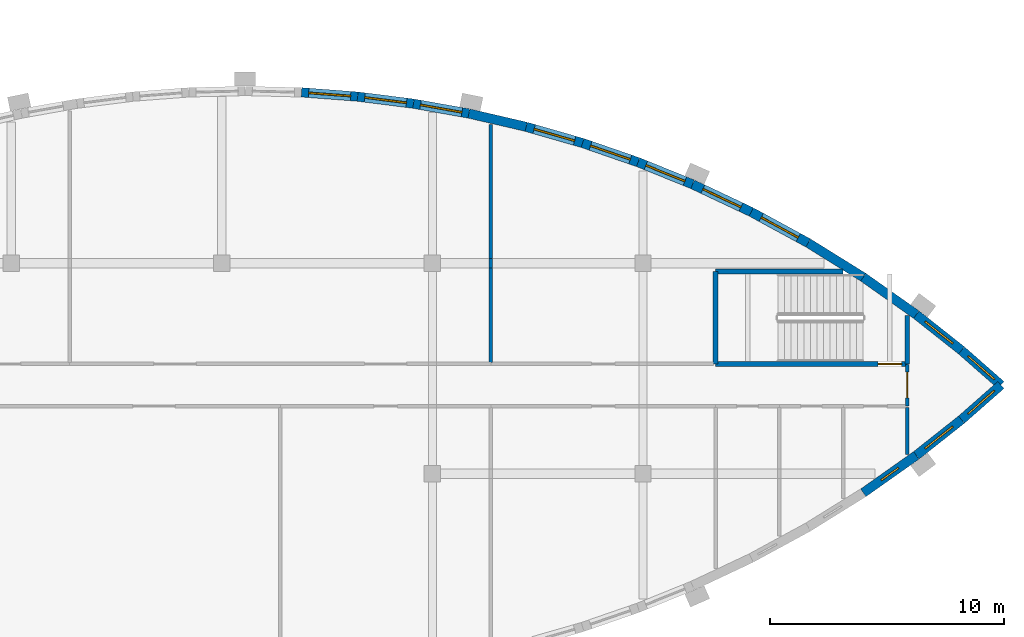
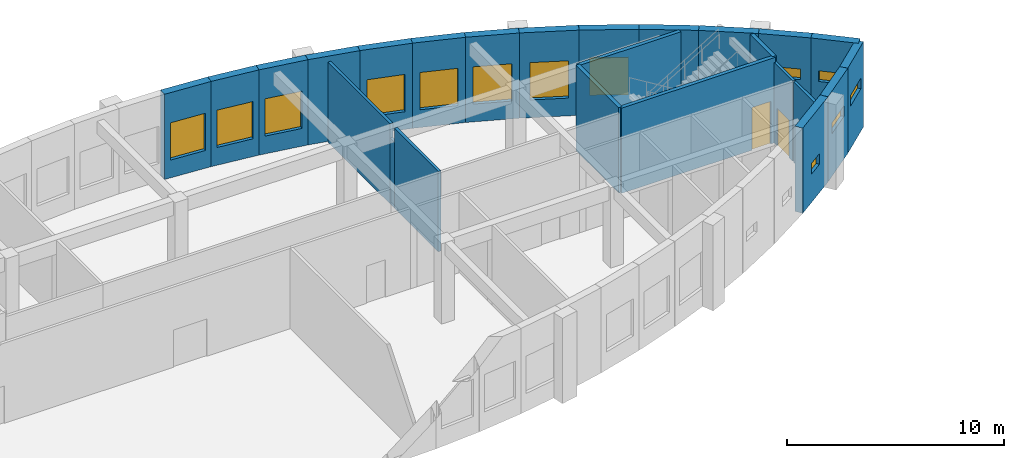
# One storey, part 76 of 93: 25 walls, 13 windows, 2 doors, 15 openings.
"""IFC4 building model written with IfcOpenShell, lengths in metres."""

from ifc_helpers import new_model, si_unit, direction, frame, frame_2d, origin, place, context, subcontext, project, spatial, rectangle, extrude, material, layer, layer_set, type_object, element, fill, save


model = new_model("IFC4")

# Units and contexts
model_context = context("Model", 3, precision=1e-05, world=origin(), true_north=direction((0.0, 1.0)))
body_context = subcontext(model_context, "Body", "Model", "MODEL_VIEW")
ifc_project = project(units=[si_unit("LENGTHUNIT", "METRE"), si_unit("AREAUNIT", "SQUARE_METRE"), si_unit("VOLUMEUNIT", "CUBIC_METRE"), si_unit("PLANEANGLEUNIT", "RADIAN"), si_unit("MASSUNIT", "GRAM", prefix="KILO")], contexts=[model_context])

# Site, building, storey
site_placement = place(None, origin())
site = spatial("IfcSite", under=ifc_project, at=site_placement, CompositionType="ELEMENT")
building_placement = place(site_placement, origin())
building = spatial("IfcBuilding", under=site, at=building_placement, Name="Tide Square Theatres", CompositionType="ELEMENT")
storey_placement = place(building_placement, frame((0.0, 0.0, 5.39990234375)))
storey = spatial("IfcBuildingStorey", under=building, at=storey_placement, Name="L01", CompositionType="ELEMENT", Elevation=5.39990234375)

# Walls
ifc_material_1 = material(Name="Gypsum board on steel studs", Category="steel")
ifc_layer_1 = layer(ifc_material_1, 0.14990234375)
ifc_layer_set_1 = layer_set([ifc_layer_1], Name="Gypsum board on steel studs")
wall_type_1 = type_object("IfcWallType", Name="Partition 150 thick", PredefinedType="PARTITIONING", material=ifc_layer_set_1)
wall_1_placement = place(storey_placement, frame((140.5, 108.928466796875, 0.0), z_axis=(0.0, 0.0, 1.0), x_axis=(0.0, -1.0, 0.0)))
element("IfcWall", 1, at=wall_1_placement, inside=storey, type_object=wall_type_1, Name="Rehearsal Block partition", PredefinedType="PARTITIONING", context=body_context, shape_type="SweptSolid", body=[
    extrude(rectangle(XDim=5.728515625, YDim=0.14990234375, at=frame_2d((2.8642578125, 0.0))), origin(), (0.0, 0.0, 1.0), 4.52001953125),
])
wall_2_placement = place(storey_placement, frame((140.5, 103.199951171875, 0.0), z_axis=(0.0, 0.0, 1.0), x_axis=(0.0, -1.0, 0.0)))
element("IfcWall", 2, at=wall_2_placement, inside=storey, type_object=wall_type_1, Name="Rehearsal Block partition", PredefinedType="PARTITIONING", context=body_context, shape_type="SweptSolid", body=[
    extrude(rectangle(XDim=0.39990234375, YDim=0.14990234375, at=frame_2d((0.199951171875, 0.0))), origin(), (0.0, 0.0, 1.0), 3.72021484375),
])
wall_3_placement = place(storey_placement, frame((140.5, 102.800048828125, 0.0), z_axis=(0.0, 0.0, 1.0), x_axis=(0.0, -1.0, 0.0)))
element("IfcWall", 3, at=wall_3_placement, inside=storey, type_object=wall_type_1, Name="Rehearsal Block partition", PredefinedType="PARTITIONING", context=body_context, shape_type="SweptSolid", body=[
    extrude(rectangle(XDim=4.0400390625, YDim=0.14990234375, at=frame_2d((2.02001953125, 0.0))), origin(), (0.0, 0.0, 1.0), 4.52001953125),
])
wall_4_placement = place(storey_placement, frame((158.300048828125, 96.840087890625, 0.0), z_axis=(0.0, 0.0, 1.0), x_axis=(0.0, -1.0, 0.0)))
element("IfcWall", 4, at=wall_4_placement, inside=storey, type_object=wall_type_1, Name="Rehearsal Block partition", PredefinedType="PARTITIONING", context=body_context, shape_type="SweptSolid", body=[
    extrude(rectangle(XDim=2.010986328125, YDim=0.14990234375, at=frame_2d((1.00537109375, 0.0))), origin(), (0.0, 0.0, 1.0), 4.52001953125),
])

# Wall, opening, door
wall_5_placement = place(storey_placement, frame((158.300048828125, 98.669921875, 0.0), z_axis=(0.0, 0.0, 1.0), x_axis=(0.0, -1.0, 0.0)))
wall_5 = element("IfcWall", 5, at=wall_5_placement, inside=storey, type_object=wall_type_1, Name="Rehearsal Block partition", PredefinedType="PARTITIONING", context=body_context, shape_type="SweptSolid", body=[
    extrude(rectangle(XDim=1.77001953125, YDim=0.14990234375, at=frame_2d((0.885009765625, 0.0))), origin(), (0.0, 0.0, 1.0), 4.52001953125),
])
opening_1_placement = place(wall_5_placement, frame((0.320068359375, 0.0, 0.0)))
opening_1 = element("IfcOpeningElement", 6, at=opening_1_placement, cuts=wall_5, Name="Opening R1-08", PredefinedType="OPENING", context=body_context, shape_type="SweptSolid", body=[
    extrude(rectangle(XDim=1.10009765625, YDim=2.10009765625, at=frame_2d((0.550048828125, 1.050048828125))), frame((0.0, 0.0849609375, 0.0), z_axis=(0.0, -1.0, 0.0), x_axis=(1.0, 0.0, 0.0)), (0.0, 0.0, 1.0), 0.169921875),
])
ifc_material_2 = material(Name="Painted steel", Category="steel")
door_type_1 = type_object("IfcDoorType", Name="Door 1100 x 2100 single leaf", OperationType="NOTDEFINED", PredefinedType="DOOR", material=ifc_material_2)
door_1_placement = place(opening_1_placement, origin())
door_1 = element("IfcDoor", 7, at=door_1_placement, inside=storey, type_object=door_type_1, Name="Rehearsal Block door R1-08 to Plant Room E", OperationType="SINGLE_SWING_RIGHT", OverallHeight=2.10009765625, OverallWidth=1.10009765625, PredefinedType="DOOR", context=body_context, shape_type="SweptSolid", body=[
    extrude(rectangle(XDim=1.10009765625, YDim=2.10009765625, at=frame_2d((0.550048828125, 1.050048828125))), frame((0.0, 0.02490234375, 0.0), z_axis=(0.0, -1.0, 0.0), x_axis=(1.0, 0.0, 0.0)), (0.0, 0.0, 1.0), 0.050048828125),
])
fill(opening_1, door_1)

# Wall, opening, window
ifc_material_3 = material(Name="Concrete C40", Category="concrete")
ifc_layer_2 = layer(ifc_material_3, 0.39990234375)
ifc_layer_set_2 = layer_set([ifc_layer_2], Name="Concrete C40")
wall_type_2 = type_object("IfcWallType", Name="RC curved wall 400 thick", PredefinedType="SOLIDWALL", material=ifc_layer_set_2)
wall_6_placement = place(storey_placement, frame((156.415283203125, 93.193115234375, 0.0), z_axis=(0.0, 0.0, 1.0), x_axis=(0.817028877428, 0.576596751161, 0.0)))
wall_6 = element("IfcWall", 8, at=wall_6_placement, inside=storey, type_object=wall_type_2, Name="Rehearsal Block perimeter wall 025", PredefinedType="SOLIDWALL", context=body_context, shape_type="SweptSolid", body=[
    extrude(rectangle(XDim=2.772216796875, YDim=0.39990234375, at=frame_2d((1.38623046875, 0.0))), origin(), (0.0, 0.0, 1.0), 4.800048828125),
])
opening_2_placement = place(wall_6_placement, frame((0.93603515625, 0.0, 1.60009765625)))
opening_2 = element("IfcOpeningElement", 9, at=opening_2_placement, cuts=wall_6, Name="Opening WN-12", PredefinedType="OPENING", context=body_context, shape_type="SweptSolid", body=[
    extrude(rectangle(XDim=0.89990234375, YDim=0.60009765625, at=frame_2d((0.449951171875, 0.300048828125))), frame((0.0, 0.2099609375, 0.0), z_axis=(0.0, -1.0, 0.0), x_axis=(1.0, 0.0, 0.0)), (0.0, 0.0, 1.0), 0.419921875),
])
ifc_material_4 = material(Name="Aluminium with laminated glass", Category="aluminium")
window_type_1 = type_object("IfcWindowType", Name="Window 900 x 600", PartitioningType="SINGLE_PANEL", PredefinedType="WINDOW", material=ifc_material_4)
window_1_placement = place(opening_2_placement, origin())
window_1 = element("IfcWindow", 10, at=window_1_placement, inside=storey, type_object=window_type_1, Name="Rehearsal Block window L01-65", OverallHeight=0.60009765625, OverallWidth=0.89990234375, PartitioningType="SINGLE_PANEL", PredefinedType="WINDOW", context=body_context, shape_type="SweptSolid", body=[
    extrude(rectangle(XDim=0.89990234375, YDim=0.60009765625, at=frame_2d((0.449951171875, 0.300048828125))), frame((0.0, 0.030029296875, 0.0), z_axis=(0.0, -1.0, 0.0), x_axis=(1.0, 0.0, 0.0)), (0.0, 0.0, 1.0), 0.06005859375),
])
fill(opening_2, window_1)

wall_7_placement = place(storey_placement, frame((158.68017578125, 94.79150390625, 0.0), z_axis=(0.0, 0.0, 1.0), x_axis=(0.784278812541, 0.620408530082, 0.0)))
wall_7 = element("IfcWall", 11, at=wall_7_placement, inside=storey, type_object=wall_type_2, Name="Rehearsal Block perimeter wall 026", PredefinedType="SOLIDWALL", context=body_context, shape_type="SweptSolid", body=[
    extrude(rectangle(XDim=2.464111328125, YDim=0.39990234375, at=frame_2d((1.23193359375, 0.0))), origin(), (0.0, 0.0, 1.0), 4.800048828125),
])
opening_3_placement = place(wall_7_placement, frame((0.48193359375, 0.0, 2.39990234375)))
opening_3 = element("IfcOpeningElement", 12, at=opening_3_placement, cuts=wall_7, Name="Opening WN-05", PredefinedType="OPENING", context=body_context, shape_type="SweptSolid", body=[
    extrude(rectangle(XDim=1.5, YDim=0.60009765625, at=frame_2d((0.75, 0.300048828125))), frame((0.0, 0.2099609375, 0.0), z_axis=(0.0, -1.0, 0.0), x_axis=(1.0, 0.0, 0.0)), (0.0, 0.0, 1.0), 0.419921875),
])
ifc_material_5 = material(Name="Aluminium with laminated glass", Category="aluminium")
window_type_2 = type_object("IfcWindowType", Name="Window 1500 x 600", PartitioningType="SINGLE_PANEL", PredefinedType="WINDOW", material=ifc_material_5)
window_2_placement = place(opening_3_placement, origin())
window_2 = element("IfcWindow", 13, at=window_2_placement, inside=storey, type_object=window_type_2, Name="Rehearsal Block window L01-66", OverallHeight=0.60009765625, OverallWidth=1.5, PartitioningType="SINGLE_PANEL", PredefinedType="WINDOW", context=body_context, shape_type="SweptSolid", body=[
    extrude(rectangle(XDim=1.5, YDim=0.60009765625, at=frame_2d((0.75, 0.300048828125))), frame((0.0, 0.030029296875, 0.0), z_axis=(0.0, -1.0, 0.0), x_axis=(1.0, 0.0, 0.0)), (0.0, 0.0, 1.0), 0.06005859375),
])
fill(opening_3, window_2)

wall_8_placement = place(storey_placement, frame((160.61279296875, 96.3203125, 0.0), z_axis=(0.0, 0.0, 1.0), x_axis=(0.751212351098, 0.660060605973, 0.0)))
wall_8 = element("IfcWall", 14, at=wall_8_placement, inside=storey, type_object=wall_type_2, Name="Rehearsal Block perimeter wall 027", PredefinedType="SOLIDWALL", context=body_context, shape_type="SweptSolid", body=[
    extrude(rectangle(XDim=2.24169921875, YDim=0.39990234375, at=frame_2d((1.120849609375, 0.0))), origin(), (0.0, 0.0, 1.0), 4.800048828125),
])
opening_4_placement = place(wall_8_placement, frame((0.370849609375, 0.0, 2.39990234375)))
opening_4 = element("IfcOpeningElement", 15, at=opening_4_placement, cuts=wall_8, Name="Opening WN-05", PredefinedType="OPENING", context=body_context, shape_type="SweptSolid", body=[
    extrude(rectangle(XDim=1.5, YDim=0.60009765625, at=frame_2d((0.75, 0.300048828125))), frame((0.0, 0.2099609375, 0.0), z_axis=(0.0, -1.0, 0.0), x_axis=(1.0, 0.0, 0.0)), (0.0, 0.0, 1.0), 0.419921875),
])
window_3_placement = place(opening_4_placement, origin())
window_3 = element("IfcWindow", 16, at=window_3_placement, inside=storey, type_object=window_type_2, Name="Rehearsal Block window L01-67", OverallHeight=0.60009765625, OverallWidth=1.5, PartitioningType="SINGLE_PANEL", PredefinedType="WINDOW", context=body_context, shape_type="SweptSolid", body=[
    extrude(rectangle(XDim=1.5, YDim=0.60009765625, at=frame_2d((0.75, 0.300048828125))), frame((0.0, 0.030029296875, 0.0), z_axis=(0.0, -1.0, 0.0), x_axis=(1.0, 0.0, 0.0)), (0.0, 0.0, 1.0), 0.06005859375),
])
fill(opening_4, window_3)

wall_9_placement = place(storey_placement, frame((162.296875, 97.800048828125, 0.0), z_axis=(0.0, 0.0, 1.0), x_axis=(-0.751212351098, 0.660060605973, 0.0)))
wall_9 = element("IfcWall", 17, at=wall_9_placement, inside=storey, type_object=wall_type_2, Name="Rehearsal Block perimeter wall 028", PredefinedType="SOLIDWALL", context=body_context, shape_type="SweptSolid", body=[
    extrude(rectangle(XDim=2.24169921875, YDim=0.39990234375, at=frame_2d((1.120849609375, 0.0))), origin(), (0.0, 0.0, 1.0), 4.800048828125),
])
opening_5_placement = place(wall_9_placement, frame((0.370849609375, 0.0, 2.39990234375)))
opening_5 = element("IfcOpeningElement", 18, at=opening_5_placement, cuts=wall_9, Name="Opening WN-05", PredefinedType="OPENING", context=body_context, shape_type="SweptSolid", body=[
    extrude(rectangle(XDim=1.5, YDim=0.60009765625, at=frame_2d((0.75, 0.300048828125))), frame((0.0, 0.2099609375, 0.0), z_axis=(0.0, -1.0, 0.0), x_axis=(1.0, 0.0, 0.0)), (0.0, 0.0, 1.0), 0.419921875),
])
window_4_placement = place(opening_5_placement, origin())
window_4 = element("IfcWindow", 19, at=window_4_placement, inside=storey, type_object=window_type_2, Name="Rehearsal Block window L01-68", OverallHeight=0.60009765625, OverallWidth=1.5, PartitioningType="SINGLE_PANEL", PredefinedType="WINDOW", context=body_context, shape_type="SweptSolid", body=[
    extrude(rectangle(XDim=1.5, YDim=0.60009765625, at=frame_2d((0.75, 0.300048828125))), frame((0.0, 0.030029296875, 0.0), z_axis=(0.0, -1.0, 0.0), x_axis=(1.0, 0.0, 0.0)), (0.0, 0.0, 1.0), 0.06005859375),
])
fill(opening_5, window_4)

wall_10_placement = place(storey_placement, frame((160.61279296875, 99.27978515625, 0.0), z_axis=(0.0, 0.0, 1.0), x_axis=(-0.784278812541, 0.620408530082, 0.0)))
wall_10 = element("IfcWall", 20, at=wall_10_placement, inside=storey, type_object=wall_type_2, Name="Rehearsal Block perimeter wall 029", PredefinedType="SOLIDWALL", context=body_context, shape_type="SweptSolid", body=[
    extrude(rectangle(XDim=2.464111328125, YDim=0.39990234375, at=frame_2d((1.23193359375, 0.0))), origin(), (0.0, 0.0, 1.0), 4.800048828125),
])
opening_6_placement = place(wall_10_placement, frame((0.48193359375, 0.0, 2.39990234375)))
opening_6 = element("IfcOpeningElement", 21, at=opening_6_placement, cuts=wall_10, Name="Opening WN-05", PredefinedType="OPENING", context=body_context, shape_type="SweptSolid", body=[
    extrude(rectangle(XDim=1.5, YDim=0.60009765625, at=frame_2d((0.75, 0.300048828125))), frame((0.0, 0.2099609375, 0.0), z_axis=(0.0, -1.0, 0.0), x_axis=(1.0, 0.0, 0.0)), (0.0, 0.0, 1.0), 0.419921875),
])
window_5_placement = place(opening_6_placement, origin())
window_5 = element("IfcWindow", 22, at=window_5_placement, inside=storey, type_object=window_type_2, Name="Rehearsal Block window L01-69", OverallHeight=0.60009765625, OverallWidth=1.5, PartitioningType="SINGLE_PANEL", PredefinedType="WINDOW", context=body_context, shape_type="SweptSolid", body=[
    extrude(rectangle(XDim=1.5, YDim=0.60009765625, at=frame_2d((0.75, 0.300048828125))), frame((0.0, 0.030029296875, 0.0), z_axis=(0.0, -1.0, 0.0), x_axis=(1.0, 0.0, 0.0)), (0.0, 0.0, 1.0), 0.06005859375),
])
fill(opening_6, window_5)

# Walls
for number, where, z_axis, x_axis, name in (
    (23, (158.68017578125, 100.80859375, 0.0), (0.0, 0.0, 1.0), (-0.817070367038, 0.57653795652, 0.0), "Rehearsal Block perimeter wall 030"),
    (24, (156.415283203125, 102.40673828125, 0.0), (0.0, 0.0, 1.0), (-0.84912946359, 0.528184772653, 0.0), "Rehearsal Block perimeter wall 031"),
):
    element("IfcWall", number, at=place(storey_placement, frame(where, z_axis=z_axis, x_axis=x_axis)), inside=storey, type_object=wall_type_2, Name=name, PredefinedType="SOLIDWALL", context=body_context, shape_type="SweptSolid", body=[
        extrude(rectangle(XDim=2.77197265625, YDim=0.39990234375, at=frame_2d((1.385986328125, 0.0))), origin(), (0.0, 0.0, 1.0), 4.800048828125),
    ])

# Wall, opening, window
wall_11_placement = place(storey_placement, frame((154.0615234375, 103.870849609375, 0.0), z_axis=(0.0, 0.0, 1.0), x_axis=(-0.878255502871, 0.478191668347, 0.0)))
wall_11 = element("IfcWall", 25, at=wall_11_placement, inside=storey, type_object=wall_type_2, Name="Rehearsal Block perimeter wall 032", PredefinedType="SOLIDWALL", context=body_context, shape_type="SweptSolid", body=[
    extrude(rectangle(XDim=2.771728515625, YDim=0.39990234375, at=frame_2d((1.3857421875, 0.0))), origin(), (0.0, 0.0, 1.0), 4.800048828125),
])
opening_7_placement = place(wall_11_placement, frame((0.48583984375, 0.0, 1.0)))
opening_7 = element("IfcOpeningElement", 26, at=opening_7_placement, cuts=wall_11, Name="Opening WN-14", PredefinedType="OPENING", context=body_context, shape_type="SweptSolid", body=[
    extrude(rectangle(XDim=1.800048828125, YDim=2.10009765625, at=frame_2d((0.89990234375, 1.050048828125))), frame((0.0, 0.2099609375, 0.0), z_axis=(0.0, -1.0, 0.0), x_axis=(1.0, 0.0, 0.0)), (0.0, 0.0, 1.0), 0.419921875),
])
ifc_material_6 = material(Name="Aluminium with laminated glass", Category="aluminium")
window_type_3 = type_object("IfcWindowType", Name="Window 1800 x 2100", PartitioningType="DOUBLE_PANEL_VERTICAL", PredefinedType="WINDOW", material=ifc_material_6)
window_6_placement = place(opening_7_placement, origin())
window_6 = element("IfcWindow", 27, at=window_6_placement, inside=storey, type_object=window_type_3, Name="Rehearsal Block window L01-70", OverallHeight=2.10009765625, OverallWidth=1.800048828125, PartitioningType="SINGLE_PANEL", PredefinedType="WINDOW", context=body_context, shape_type="SweptSolid", body=[
    extrude(rectangle(XDim=1.800048828125, YDim=2.10009765625, at=frame_2d((0.89990234375, 1.050048828125))), frame((0.0, 0.030029296875, 0.0), z_axis=(0.0, -1.0, 0.0), x_axis=(1.0, 0.0, 0.0)), (0.0, 0.0, 1.0), 0.06005859375),
])
fill(opening_7, window_6)

wall_12_placement = place(storey_placement, frame((151.627197265625, 105.1962890625, 0.0), z_axis=(0.0, 0.0, 1.0), x_axis=(-0.904561064695, 0.42634408667, 0.0)))
wall_12 = element("IfcWall", 28, at=wall_12_placement, inside=storey, type_object=wall_type_2, Name="Rehearsal Block perimeter wall 033", PredefinedType="SOLIDWALL", context=body_context, shape_type="SweptSolid", body=[
    extrude(rectangle(XDim=2.772216796875, YDim=0.39990234375, at=frame_2d((1.38623046875, 0.0))), origin(), (0.0, 0.0, 1.0), 4.800048828125),
])
opening_8_placement = place(wall_12_placement, frame((0.486083984375, 0.0, 1.0)))
opening_8 = element("IfcOpeningElement", 29, at=opening_8_placement, cuts=wall_12, Name="Opening WN-14", PredefinedType="OPENING", context=body_context, shape_type="SweptSolid", body=[
    extrude(rectangle(XDim=1.800048828125, YDim=2.10009765625, at=frame_2d((0.89990234375, 1.050048828125))), frame((0.0, 0.2099609375, 0.0), z_axis=(0.0, -1.0, 0.0), x_axis=(1.0, 0.0, 0.0)), (0.0, 0.0, 1.0), 0.419921875),
])
window_7_placement = place(opening_8_placement, origin())
window_7 = element("IfcWindow", 30, at=window_7_placement, inside=storey, type_object=window_type_3, Name="Rehearsal Block window L01-71", OverallHeight=2.10009765625, OverallWidth=1.800048828125, PartitioningType="SINGLE_PANEL", PredefinedType="WINDOW", context=body_context, shape_type="SweptSolid", body=[
    extrude(rectangle(XDim=1.800048828125, YDim=2.10009765625, at=frame_2d((0.89990234375, 1.050048828125))), frame((0.0, 0.030029296875, 0.0), z_axis=(0.0, -1.0, 0.0), x_axis=(1.0, 0.0, 0.0)), (0.0, 0.0, 1.0), 0.06005859375),
])
fill(opening_8, window_7)

wall_13_placement = place(storey_placement, frame((149.11962890625, 106.378173828125, 0.0), z_axis=(0.0, 0.0, 1.0), x_axis=(-0.926688932252, 0.375829246921, 0.0)))
wall_13 = element("IfcWall", 31, at=wall_13_placement, inside=storey, type_object=wall_type_2, Name="Rehearsal Block perimeter wall 034", PredefinedType="SOLIDWALL", context=body_context, shape_type="SweptSolid", body=[
    extrude(rectangle(XDim=2.5107421875, YDim=0.39990234375, at=frame_2d((1.25537109375, 0.0))), origin(), (0.0, 0.0, 1.0), 4.800048828125),
])
opening_9_placement = place(wall_13_placement, frame((0.35546875, 0.0, 1.0)))
opening_9 = element("IfcOpeningElement", 32, at=opening_9_placement, cuts=wall_13, Name="Opening WN-14", PredefinedType="OPENING", context=body_context, shape_type="SweptSolid", body=[
    extrude(rectangle(XDim=1.800048828125, YDim=2.10009765625, at=frame_2d((0.89990234375, 1.050048828125))), frame((0.0, 0.2099609375, 0.0), z_axis=(0.0, -1.0, 0.0), x_axis=(1.0, 0.0, 0.0)), (0.0, 0.0, 1.0), 0.419921875),
])
window_8_placement = place(opening_9_placement, origin())
window_8 = element("IfcWindow", 33, at=window_8_placement, inside=storey, type_object=window_type_3, Name="Rehearsal Block window L01-72", OverallHeight=2.10009765625, OverallWidth=1.800048828125, PartitioningType="SINGLE_PANEL", PredefinedType="WINDOW", context=body_context, shape_type="SweptSolid", body=[
    extrude(rectangle(XDim=1.800048828125, YDim=2.10009765625, at=frame_2d((0.89990234375, 1.050048828125))), frame((0.0, 0.030029296875, 0.0), z_axis=(0.0, -1.0, 0.0), x_axis=(1.0, 0.0, 0.0)), (0.0, 0.0, 1.0), 0.06005859375),
])
fill(opening_9, window_8)

wall_14_placement = place(storey_placement, frame((146.79296875, 107.32177734375, 0.0), z_axis=(0.0, 0.0, 1.0), x_axis=(-0.945175475032, 0.326562890417, 0.0)))
wall_14 = element("IfcWall", 34, at=wall_14_placement, inside=storey, type_object=wall_type_2, Name="Rehearsal Block perimeter wall 035", PredefinedType="SOLIDWALL", context=body_context, shape_type="SweptSolid", body=[
    extrude(rectangle(XDim=2.51123046875, YDim=0.39990234375, at=frame_2d((1.255615234375, 0.0))), origin(), (0.0, 0.0, 1.0), 4.800048828125),
])
opening_10_placement = place(wall_14_placement, frame((0.35546875, 0.0, 1.0)))
opening_10 = element("IfcOpeningElement", 35, at=opening_10_placement, cuts=wall_14, Name="Opening WN-14", PredefinedType="OPENING", context=body_context, shape_type="SweptSolid", body=[
    extrude(rectangle(XDim=1.800048828125, YDim=2.10009765625, at=frame_2d((0.89990234375, 1.050048828125))), frame((0.0, 0.2099609375, 0.0), z_axis=(0.0, -1.0, 0.0), x_axis=(1.0, 0.0, 0.0)), (0.0, 0.0, 1.0), 0.419921875),
])
window_9_placement = place(opening_10_placement, origin())
window_9 = element("IfcWindow", 36, at=window_9_placement, inside=storey, type_object=window_type_3, Name="Rehearsal Block window L01-73", OverallHeight=2.10009765625, OverallWidth=1.800048828125, PartitioningType="SINGLE_PANEL", PredefinedType="WINDOW", context=body_context, shape_type="SweptSolid", body=[
    extrude(rectangle(XDim=1.800048828125, YDim=2.10009765625, at=frame_2d((0.89990234375, 1.050048828125))), frame((0.0, 0.030029296875, 0.0), z_axis=(0.0, -1.0, 0.0), x_axis=(1.0, 0.0, 0.0)), (0.0, 0.0, 1.0), 0.06005859375),
])
fill(opening_10, window_9)

wall_15_placement = place(storey_placement, frame((144.41943359375, 108.141845703125, 0.0), z_axis=(0.0, 0.0, 1.0), x_axis=(-0.961008605775, 0.276518461637, 0.0)))
wall_15 = element("IfcWall", 37, at=wall_15_placement, inside=storey, type_object=wall_type_2, Name="Rehearsal Block perimeter wall 036", PredefinedType="SOLIDWALL", context=body_context, shape_type="SweptSolid", body=[
    extrude(rectangle(XDim=2.510986328125, YDim=0.39990234375, at=frame_2d((1.25537109375, 0.0))), origin(), (0.0, 0.0, 1.0), 4.800048828125),
])
opening_11_placement = place(wall_15_placement, frame((0.35546875, 0.0, 1.0)))
opening_11 = element("IfcOpeningElement", 38, at=opening_11_placement, cuts=wall_15, Name="Opening WN-14", PredefinedType="OPENING", context=body_context, shape_type="SweptSolid", body=[
    extrude(rectangle(XDim=1.800048828125, YDim=2.10009765625, at=frame_2d((0.89990234375, 1.050048828125))), frame((0.0, 0.2099609375, 0.0), z_axis=(0.0, -1.0, 0.0), x_axis=(1.0, 0.0, 0.0)), (0.0, 0.0, 1.0), 0.419921875),
])
window_10_placement = place(opening_11_placement, origin())
window_10 = element("IfcWindow", 39, at=window_10_placement, inside=storey, type_object=window_type_3, Name="Rehearsal Block window L01-74", OverallHeight=2.10009765625, OverallWidth=1.800048828125, PartitioningType="SINGLE_PANEL", PredefinedType="WINDOW", context=body_context, shape_type="SweptSolid", body=[
    extrude(rectangle(XDim=1.800048828125, YDim=2.10009765625, at=frame_2d((0.89990234375, 1.050048828125))), frame((0.0, 0.030029296875, 0.0), z_axis=(0.0, -1.0, 0.0), x_axis=(1.0, 0.0, 0.0)), (0.0, 0.0, 1.0), 0.06005859375),
])
fill(opening_11, window_10)

# Wall
wall_16_placement = place(storey_placement, frame((142.00634765625, 108.836181640625, 0.0), z_axis=(0.0, 0.0, 1.0), x_axis=(-0.974189274843, 0.225732710925, 0.0)))
element("IfcWall", 40, at=wall_16_placement, inside=storey, type_object=wall_type_2, Name="Rehearsal Block perimeter wall 037", PredefinedType="SOLIDWALL", context=body_context, shape_type="SweptSolid", body=[
    extrude(rectangle(XDim=2.511474609375, YDim=0.39990234375, at=frame_2d((1.255859375, 0.0))), origin(), (0.0, 0.0, 1.0), 4.800048828125),
])

# Wall, opening, window
wall_17_placement = place(storey_placement, frame((139.559814453125, 109.403076171875, 0.0), z_axis=(0.0, 0.0, 1.0), x_axis=(-0.984524011381, 0.175249738987, 0.0)))
wall_17 = element("IfcWall", 41, at=wall_17_placement, inside=storey, type_object=wall_type_2, Name="Rehearsal Block perimeter wall 038", PredefinedType="SOLIDWALL", context=body_context, shape_type="SweptSolid", body=[
    extrude(rectangle(XDim=2.406005859375, YDim=0.39990234375, at=frame_2d((1.203125, 0.0))), origin(), (0.0, 0.0, 1.0), 4.800048828125),
])
opening_12_placement = place(wall_17_placement, frame((0.302978515625, 0.0, 1.0)))
opening_12 = element("IfcOpeningElement", 42, at=opening_12_placement, cuts=wall_17, Name="Opening WN-14", PredefinedType="OPENING", context=body_context, shape_type="SweptSolid", body=[
    extrude(rectangle(XDim=1.800048828125, YDim=2.10009765625, at=frame_2d((0.89990234375, 1.050048828125))), frame((0.0, 0.2099609375, 0.0), z_axis=(0.0, -1.0, 0.0), x_axis=(1.0, 0.0, 0.0)), (0.0, 0.0, 1.0), 0.419921875),
])
window_11_placement = place(opening_12_placement, origin())
window_11 = element("IfcWindow", 43, at=window_11_placement, inside=storey, type_object=window_type_3, Name="Rehearsal Block window L01-75", OverallHeight=2.10009765625, OverallWidth=1.800048828125, PartitioningType="SINGLE_PANEL", PredefinedType="WINDOW", context=body_context, shape_type="SweptSolid", body=[
    extrude(rectangle(XDim=1.800048828125, YDim=2.10009765625, at=frame_2d((0.89990234375, 1.050048828125))), frame((0.0, 0.030029296875, 0.0), z_axis=(0.0, -1.0, 0.0), x_axis=(1.0, 0.0, 0.0)), (0.0, 0.0, 1.0), 0.06005859375),
])
fill(opening_12, window_11)

wall_18_placement = place(storey_placement, frame((137.191162109375, 109.82470703125, 0.0), z_axis=(0.0, 0.0, 1.0), x_axis=(-0.99208939311, 0.125533406227, 0.0)))
wall_18 = element("IfcWall", 44, at=wall_18_placement, inside=storey, type_object=wall_type_2, Name="Rehearsal Block perimeter wall 039", PredefinedType="SOLIDWALL", context=body_context, shape_type="SweptSolid", body=[
    extrude(rectangle(XDim=2.40576171875, YDim=0.39990234375, at=frame_2d((1.202880859375, 0.0))), origin(), (0.0, 0.0, 1.0), 4.800048828125),
])
opening_13_placement = place(wall_18_placement, frame((0.302978515625, 0.0, 1.0)))
opening_13 = element("IfcOpeningElement", 45, at=opening_13_placement, cuts=wall_18, Name="Opening WN-14", PredefinedType="OPENING", context=body_context, shape_type="SweptSolid", body=[
    extrude(rectangle(XDim=1.800048828125, YDim=2.10009765625, at=frame_2d((0.89990234375, 1.050048828125))), frame((0.0, 0.2099609375, 0.0), z_axis=(0.0, -1.0, 0.0), x_axis=(1.0, 0.0, 0.0)), (0.0, 0.0, 1.0), 0.419921875),
])
window_12_placement = place(opening_13_placement, origin())
window_12 = element("IfcWindow", 46, at=window_12_placement, inside=storey, type_object=window_type_3, Name="Rehearsal Block window L01-76", OverallHeight=2.10009765625, OverallWidth=1.800048828125, PartitioningType="SINGLE_PANEL", PredefinedType="WINDOW", context=body_context, shape_type="SweptSolid", body=[
    extrude(rectangle(XDim=1.800048828125, YDim=2.10009765625, at=frame_2d((0.89990234375, 1.050048828125))), frame((0.0, 0.030029296875, 0.0), z_axis=(0.0, -1.0, 0.0), x_axis=(1.0, 0.0, 0.0)), (0.0, 0.0, 1.0), 0.06005859375),
])
fill(opening_13, window_12)

wall_19_placement = place(storey_placement, frame((134.804443359375, 110.126708984375, 0.0), z_axis=(0.0, 0.0, 1.0), x_axis=(-0.997153910364, 0.075392831525, 0.0)))
wall_19 = element("IfcWall", 47, at=wall_19_placement, inside=storey, type_object=wall_type_2, Name="Rehearsal Block perimeter wall 040", PredefinedType="SOLIDWALL", context=body_context, shape_type="SweptSolid", body=[
    extrude(rectangle(XDim=2.406005859375, YDim=0.39990234375, at=frame_2d((1.203125, 0.0))), origin(), (0.0, 0.0, 1.0), 4.800048828125),
])
opening_14_placement = place(wall_19_placement, frame((0.302978515625, 0.0, 1.0)))
opening_14 = element("IfcOpeningElement", 48, at=opening_14_placement, cuts=wall_19, Name="Opening WN-14", PredefinedType="OPENING", context=body_context, shape_type="SweptSolid", body=[
    extrude(rectangle(XDim=1.800048828125, YDim=2.10009765625, at=frame_2d((0.89990234375, 1.050048828125))), frame((0.0, 0.2099609375, 0.0), z_axis=(0.0, -1.0, 0.0), x_axis=(1.0, 0.0, 0.0)), (0.0, 0.0, 1.0), 0.419921875),
])
window_13_placement = place(opening_14_placement, origin())
window_13 = element("IfcWindow", 49, at=window_13_placement, inside=storey, type_object=window_type_3, Name="Rehearsal Block window L01-77", OverallHeight=2.10009765625, OverallWidth=1.800048828125, PartitioningType="SINGLE_PANEL", PredefinedType="WINDOW", context=body_context, shape_type="SweptSolid", body=[
    extrude(rectangle(XDim=1.800048828125, YDim=2.10009765625, at=frame_2d((0.89990234375, 1.050048828125))), frame((0.0, 0.030029296875, 0.0), z_axis=(0.0, -1.0, 0.0), x_axis=(1.0, 0.0, 0.0)), (0.0, 0.0, 1.0), 0.06005859375),
])
fill(opening_14, window_13)

# Wall
ifc_material_7 = material(Name="Concrete C40", Category="concrete")
ifc_layer_3 = layer(ifc_material_7, 0.199951171875)
ifc_layer_set_3 = layer_set([ifc_layer_3], Name="Concrete C40")
wall_type_3 = type_object("IfcWallType", Name="RC shear wall 200 thick", PredefinedType="SHEAR", material=ifc_layer_set_3)
wall_20_placement = place(storey_placement, frame((158.300048828125, 100.770751953125, 0.0), z_axis=(0.0, 0.0, 1.0), x_axis=(0.0, -1.0, 0.0)))
element("IfcWall", 50, at=wall_20_placement, inside=storey, type_object=wall_type_3, Name="Rehearsal Block stair enclosure wall", PredefinedType="SHEAR", context=body_context, shape_type="SweptSolid", body=[
    extrude(rectangle(XDim=2.07080078125, YDim=0.199951171875, at=frame_2d((1.035400390625, 0.0))), origin(), (0.0, 0.0, 1.0), 4.800048828125),
])

# Wall, opening, door
wall_21_placement = place(storey_placement, frame((158.300048828125, 98.699951171875, 0.0), z_axis=(0.0, 0.0, 1.0), x_axis=(-1.0, 0.0, 0.0)))
wall_21 = element("IfcWall", 51, at=wall_21_placement, inside=storey, type_object=wall_type_3, Name="Rehearsal Block stair enclosure wall", PredefinedType="SHEAR", context=body_context, shape_type="SweptSolid", body=[
    extrude(rectangle(XDim=8.199951171875, YDim=0.199951171875, at=frame_2d((4.10009765625, 0.0))), origin(), (0.0, 0.0, 1.0), 4.800048828125),
])
opening_15_placement = place(wall_21_placement, frame((0.25, 0.0, 0.0)))
opening_15 = element("IfcOpeningElement", 52, at=opening_15_placement, cuts=wall_21, Name="Opening R1-18", PredefinedType="OPENING", context=body_context, shape_type="SweptSolid", body=[
    extrude(rectangle(XDim=1.0, YDim=2.39990234375, at=frame_2d((0.5, 1.199951171875))), frame((0.0, 0.10986328125, 0.0), z_axis=(0.0, -1.0, 0.0), x_axis=(1.0, 0.0, 0.0)), (0.0, 0.0, 1.0), 0.219970703125),
])
ifc_material_8 = material(Name="Hardwood timber", Category="wood")
door_type_2 = type_object("IfcDoorType", Name="Door 1000 x 2400 single leaf", OperationType="NOTDEFINED", PredefinedType="DOOR", material=ifc_material_8)
door_2_placement = place(opening_15_placement, origin())
door_2 = element("IfcDoor", 53, at=door_2_placement, inside=storey, type_object=door_type_2, Name="Rehearsal Block door R1-18 stair door to Stair 2", OperationType="SINGLE_SWING_LEFT", OverallHeight=2.39990234375, OverallWidth=1.0, PredefinedType="DOOR", context=body_context, shape_type="SweptSolid", body=[
    extrude(rectangle(XDim=1.0, YDim=2.39990234375, at=frame_2d((0.5, 1.199951171875))), frame((0.0, 0.02490234375, 0.0), z_axis=(0.0, -1.0, 0.0), x_axis=(1.0, 0.0, 0.0)), (0.0, 0.0, 1.0), 0.050048828125),
])
fill(opening_15, door_2)

# Walls
wall_22_placement = place(storey_placement, frame((150.10009765625, 98.699951171875, 0.0), z_axis=(0.0, 0.0, 1.0), x_axis=(0.0, 1.0, 0.0)))
element("IfcWall", 54, at=wall_22_placement, inside=storey, type_object=wall_type_3, Name="Rehearsal Block stair enclosure wall", PredefinedType="SHEAR", context=body_context, shape_type="SweptSolid", body=[
    extrude(rectangle(XDim=3.949951171875, YDim=0.199951171875, at=frame_2d((1.97509765625, 0.0))), origin(), (0.0, 0.0, 1.0), 4.800048828125),
])
wall_23_placement = place(storey_placement, frame((150.10009765625, 102.64990234375, 0.0), z_axis=(0.0, 0.0, 1.0), x_axis=(1.0, 0.0, 0.0)))
element("IfcWall", 55, at=wall_23_placement, inside=storey, type_object=wall_type_3, Name="Rehearsal Block stair enclosure wall", PredefinedType="SHEAR", context=body_context, shape_type="SweptSolid", body=[
    extrude(rectangle(XDim=5.450927734375, YDim=0.199951171875, at=frame_2d((2.7255859375, 0.0))), origin(), (0.0, 0.0, 1.0), 4.800048828125),
])

save(model, "model.ifc")
